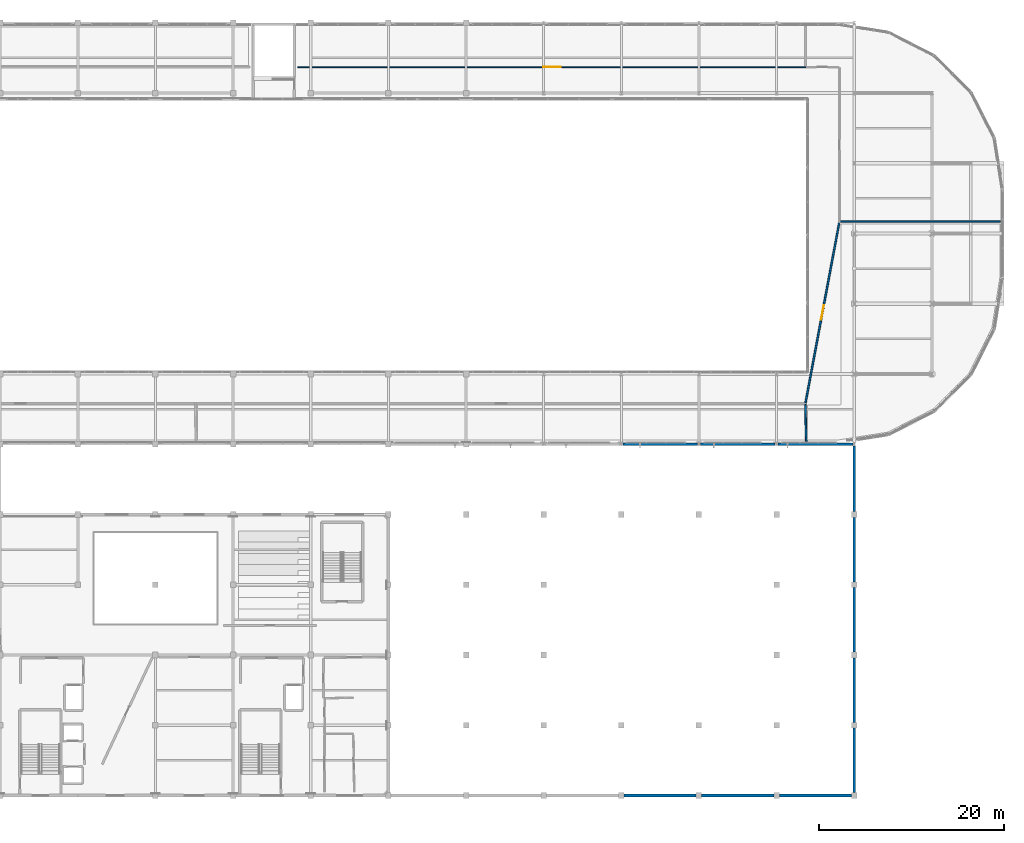
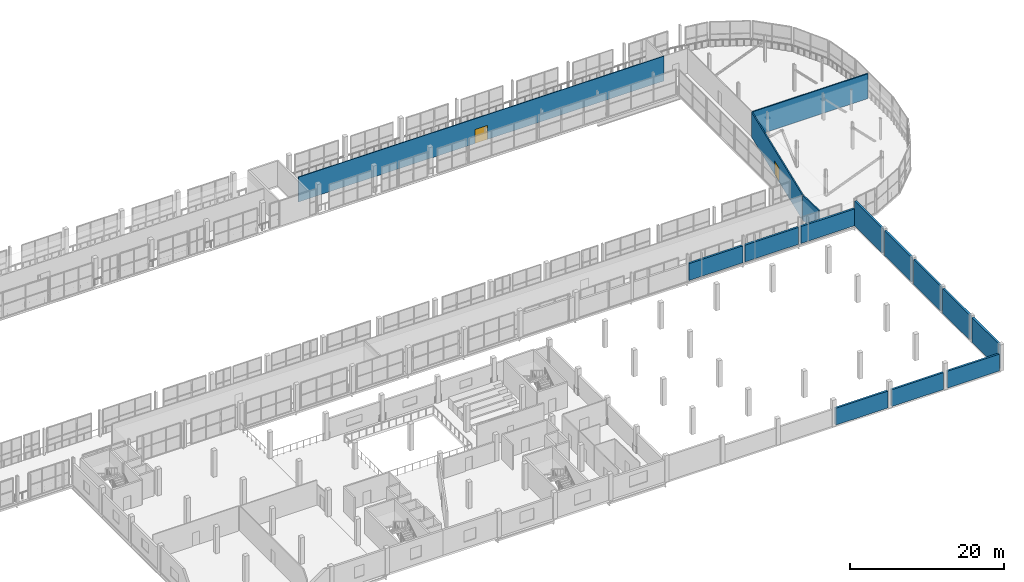
# One storey, part 132 of 151: 15 walls, 2 doors, 2 openings.
"""IFC4 building model written with IfcOpenShell, lengths in metres."""

from ifc_helpers import new_model, si_unit, direction, frame, frame_2d, origin, place, context, subcontext, project, spatial, rectangle, extrude, material, layer, layer_set, type_object, element, fill, save


model = new_model("IFC4")

# Units and contexts
model_context = context("Model", 3, precision=1e-05, world=origin(), true_north=direction((0.0, 1.0)))
body_context = subcontext(model_context, "Body", "Model", "MODEL_VIEW")
ifc_project = project(units=[si_unit("LENGTHUNIT", "METRE"), si_unit("AREAUNIT", "SQUARE_METRE"), si_unit("VOLUMEUNIT", "CUBIC_METRE"), si_unit("PLANEANGLEUNIT", "RADIAN"), si_unit("MASSUNIT", "GRAM", prefix="KILO")], contexts=[model_context])

# Site, building, storey
site_placement = place(None, origin())
site = spatial("IfcSite", under=ifc_project, at=site_placement, CompositionType="ELEMENT")
building_placement = place(site_placement, origin())
building = spatial("IfcBuilding", under=site, at=building_placement, Name="Zuvorla Pavilion Media Centre", CompositionType="ELEMENT")
storey_placement = place(building_placement, frame((0.0, 0.0, 13.800048828125)))
storey = spatial("IfcBuildingStorey", under=building, at=storey_placement, Name="L03", CompositionType="ELEMENT", Elevation=13.800048828125)

# Walls
ifc_material_1 = material(Name="White rendered concrete C32/40", Category="concrete")
ifc_layer_1 = layer(ifc_material_1, 0.300048828125)
ifc_layer_set_1 = layer_set([ifc_layer_1], Name="White rendered concrete C32/40")
wall_type_1 = type_object("IfcWallType", Name="WL-EXT-300", PredefinedType="SOLIDWALL", material=ifc_layer_set_1)
for number, where, z_axis, x_axis, name in (
    (1, (134.300048828125, 6.0, 0.0), (0.0, 0.0, 1.0), (1.0, 0.0, 0.0), "L03 exterior solid wall EW03 253"),
    (2, (142.699951171875, 6.0, 0.0), (0.0, 0.0, 1.0), (1.0, 0.0, 0.0), "L03 exterior solid wall EW03 254"),
):
    element("IfcWall", number, at=place(storey_placement, frame(where, z_axis=z_axis, x_axis=x_axis)), inside=storey, type_object=wall_type_1, Name=name, PredefinedType="SOLIDWALL", context=body_context, shape_type="SweptSolid", body=[
        extrude(rectangle(XDim=7.800048828125, YDim=0.300048828125, at=frame_2d((3.89990234375, 0.0))), origin(), (0.0, 0.0, 1.0), 2.68701171875),
    ])
wall_1_placement = place(storey_placement, frame((151.10009765625, 6.0, 0.0), z_axis=(0.0, 0.0, 1.0), x_axis=(1.0, 0.0, 0.0)))
element("IfcWall", 3, at=wall_1_placement, inside=storey, type_object=wall_type_1, Name="L03 exterior solid wall EW03 255", PredefinedType="SOLIDWALL", context=body_context, shape_type="SweptSolid", body=[
    extrude(rectangle(XDim=7.7998046875, YDim=0.300048828125, at=frame_2d((3.89990234375, 0.0))), origin(), (0.0, 0.0, 1.0), 2.68701171875),
])
for number, where, z_axis, x_axis, name in (
    (4, (159.199951171875, 6.300048828125, 0.0), (0.0, 0.0, 1.0), (0.0, 1.0, 0.0), "L03 exterior solid wall EW03 256"),
    (5, (159.199951171875, 13.89990234375, 0.0), (0.0, 0.0, 1.0), (0.0, 1.0, 0.0), "L03 exterior solid wall EW03 257"),
    (6, (159.199951171875, 21.5, 0.0), (0.0, 0.0, 1.0), (0.0, 1.0, 0.0), "L03 exterior solid wall EW03 258"),
    (7, (159.199951171875, 29.10009765625, 0.0), (0.0, 0.0, 1.0), (0.0, 1.0, 0.0), "L03 exterior solid wall EW03 259"),
):
    element("IfcWall", number, at=place(storey_placement, frame(where, z_axis=z_axis, x_axis=x_axis)), inside=storey, type_object=wall_type_1, Name=name, PredefinedType="SOLIDWALL", context=body_context, shape_type="SweptSolid", body=[
        extrude(rectangle(XDim=7.0, YDim=0.300048828125, at=frame_2d((3.5, 0.0))), origin(), (0.0, 0.0, 1.0), 3.949951171875),
    ])
wall_2_placement = place(storey_placement, frame((159.199951171875, 36.699951171875, 0.0), z_axis=(0.0, 0.0, 1.0), x_axis=(0.0, 1.0, 0.0)))
element("IfcWall", 8, at=wall_2_placement, inside=storey, type_object=wall_type_1, Name="L03 exterior solid wall EW03 260", PredefinedType="SOLIDWALL", context=body_context, shape_type="SweptSolid", body=[
    extrude(rectangle(XDim=7.139892578125, YDim=0.300048828125, at=frame_2d((3.56982421875, 0.0))), origin(), (0.0, 0.0, 1.0), 3.949951171875),
])
for number, where, z_axis, x_axis, name in (
    (9, (159.04541015625, 44.0, 0.0), (0.0, 0.0, 1.0), (-1.0, 0.0, 0.0), "L03 exterior solid wall EW03 261"),
    (10, (150.6455078125, 44.0, 0.0), (0.0, 0.0, 1.0), (-1.0, 0.0, 0.0), "L03 exterior solid wall EW03 262"),
    (11, (142.245361328125, 44.0, 0.0), (0.0, 0.0, 1.0), (-1.0, 0.0, 0.0), "L03 exterior solid wall EW03 263"),
):
    element("IfcWall", number, at=place(storey_placement, frame(where, z_axis=z_axis, x_axis=x_axis)), inside=storey, type_object=wall_type_1, Name=name, PredefinedType="SOLIDWALL", context=body_context, shape_type="SweptSolid", body=[
        extrude(rectangle(XDim=8.0908203125, YDim=0.300048828125, at=frame_2d((4.04541015625, 0.0))), origin(), (0.0, 0.0, 1.0), 2.68701171875),
    ])

# Wall, opening, door
ifc_material_2 = material(Name="Lightweight gypsum partition")
ifc_layer_2 = layer(ifc_material_2, 0.1201171875)
ifc_layer_set_2 = layer_set([ifc_layer_2], Name="Lightweight gypsum partition")
wall_type_2 = type_object("IfcWallType", Name="WL-PRT-120", PredefinedType="PARTITIONING", material=ifc_layer_set_2)
wall_3_placement = place(storey_placement, frame((98.98046875, 84.800048828125, 0.0), z_axis=(0.0, 0.0, 1.0), x_axis=(1.0, 0.0, 0.0)))
wall_3 = element("IfcWall", 12, at=wall_3_placement, inside=storey, type_object=wall_type_2, Name="L03 partition PT12 528", PredefinedType="PARTITIONING", context=body_context, shape_type="SweptSolid", body=[
    extrude(rectangle(XDim=55.0390625, YDim=0.1201171875, at=frame_2d((27.51953125, 0.0))), origin(), (0.0, 0.0, 1.0), 3.949951171875),
])
opening_1_placement = place(wall_3_placement, frame((26.594482421875, 0.0, 0.0)))
opening_1 = element("IfcOpeningElement", 13, at=opening_1_placement, cuts=wall_3, Name="Opening ID12", PredefinedType="OPENING", context=body_context, shape_type="SweptSolid", body=[
    extrude(rectangle(XDim=1.85009765625, YDim=2.219970703125, at=frame_2d((0.925048828125, 1.10986328125))), frame((0.0, 0.070068359375, 0.0), z_axis=(0.0, -1.0, 0.0), x_axis=(1.0, 0.0, 0.0)), (0.0, 0.0, 1.0), 0.14013671875),
])
ifc_material_3 = material(Name="Hardwood acoustic studio door in anodised frame", Category="wood")
door_type_1 = type_object("IfcDoorType", Name="DR-UNR-ID12", OperationType="NOTDEFINED", PredefinedType="DOOR", material=ifc_material_3)
door_1_placement = place(opening_1_placement, origin())
door_1 = element("IfcDoor", 14, at=door_1_placement, inside=storey, type_object=door_type_1, Name="Interior door ID12 228", OperationType="DOUBLE_DOOR_SINGLE_SWING", OverallHeight=2.219970703125, OverallWidth=1.85009765625, PredefinedType="DOOR", context=body_context, shape_type="SweptSolid", body=[
    extrude(rectangle(XDim=1.85009765625, YDim=2.219970703125, at=frame_2d((0.925048828125, 1.10986328125))), frame((0.0, 0.02490234375, 0.0), z_axis=(0.0, -1.0, 0.0), x_axis=(1.0, 0.0, 0.0)), (0.0, 0.0, 1.0), 0.050048828125),
])
fill(opening_1, door_1)

ifc_material_4 = material(Name="Double acoustic gypsum stud partition")
ifc_layer_3 = layer(ifc_material_4, 0.179931640625)
ifc_layer_set_3 = layer_set([ifc_layer_3], Name="Double acoustic gypsum stud partition")
wall_type_3 = type_object("IfcWallType", Name="WL-PRT-180", PredefinedType="PARTITIONING", material=ifc_layer_set_3)
wall_4_placement = place(storey_placement, frame((157.585205078125, 68.010986328125, 0.0), z_axis=(0.0, 0.0, 1.0), x_axis=(-0.184170593779, -0.982894293598, 0.0)))
wall_4 = element("IfcWall", 15, at=wall_4_placement, inside=storey, type_object=wall_type_3, Name="L03 partition PT18 535", PredefinedType="PARTITIONING", context=body_context, shape_type="SweptSolid", body=[
    extrude(rectangle(XDim=19.872314453125, YDim=0.179931640625, at=frame_2d((9.93603515625, 0.0))), origin(), (0.0, 0.0, 1.0), 3.949951171875),
])
opening_2_placement = place(wall_4_placement, frame((9.135986328125, 0.0, 0.0)))
opening_2 = element("IfcOpeningElement", 16, at=opening_2_placement, cuts=wall_4, Name="Opening FD09", PredefinedType="OPENING", context=body_context, shape_type="SweptSolid", body=[
    extrude(rectangle(XDim=1.60009765625, YDim=2.199951171875, at=frame_2d((0.800048828125, 1.10009765625))), frame((0.0, 0.099853515625, 0.0), z_axis=(0.0, -1.0, 0.0), x_axis=(1.0, 0.0, 0.0)), (0.0, 0.0, 1.0), 0.199951171875),
])
ifc_material_5 = material(Name="Acoustic timber fire door leaf in steel frame", Category="steel")
door_type_2 = type_object("IfcDoorType", Name="DR-INT-FD09", OperationType="NOTDEFINED", PredefinedType="DOOR", material=ifc_material_5)
door_2_placement = place(opening_2_placement, origin())
door_2 = element("IfcDoor", 17, at=door_2_placement, inside=storey, type_object=door_type_2, Name="Interior door FD09 235", OperationType="DOUBLE_DOOR_SINGLE_SWING", OverallHeight=2.199951171875, OverallWidth=1.60009765625, PredefinedType="DOOR", context=body_context, shape_type="SweptSolid", body=[
    extrude(rectangle(XDim=1.60009765625, YDim=2.199951171875, at=frame_2d((0.800048828125, 1.10009765625))), frame((0.0, 0.02490234375, 0.0), z_axis=(0.0, -1.0, 0.0), x_axis=(1.0, 0.0, 0.0)), (0.0, 0.0, 1.0), 0.050048828125),
])
fill(opening_2, door_2)

# Walls
wall_5_placement = place(storey_placement, frame((153.911865234375, 48.31005859375, 0.0), z_axis=(0.0, 0.0, 1.0), x_axis=(0.021973384398, -0.999758556041, 0.0)))
element("IfcWall", 18, at=wall_5_placement, inside=storey, type_object=wall_type_3, Name="L03 partition PT18 544", PredefinedType="PARTITIONING", context=body_context, shape_type="SweptSolid", body=[
    extrude(rectangle(XDim=4.010986328125, YDim=0.179931640625, at=frame_2d((2.00537109375, 0.0))), origin(), (0.0, 0.0, 1.0), 3.949951171875),
])
wall_6_placement = place(storey_placement, frame((175.02001953125, 68.090087890625, 0.0), z_axis=(0.0, 0.0, 1.0), x_axis=(-1.0, 0.0, 0.0)))
element("IfcWall", 19, at=wall_6_placement, inside=storey, type_object=wall_type_3, Name="L03 partition PT18 548", PredefinedType="PARTITIONING", context=body_context, shape_type="SweptSolid", body=[
    extrude(rectangle(XDim=17.330078125, YDim=0.179931640625, at=frame_2d((8.6650390625, 0.0))), origin(), (0.0, 0.0, 1.0), 3.949951171875),
])

save(model, "model.ifc")
